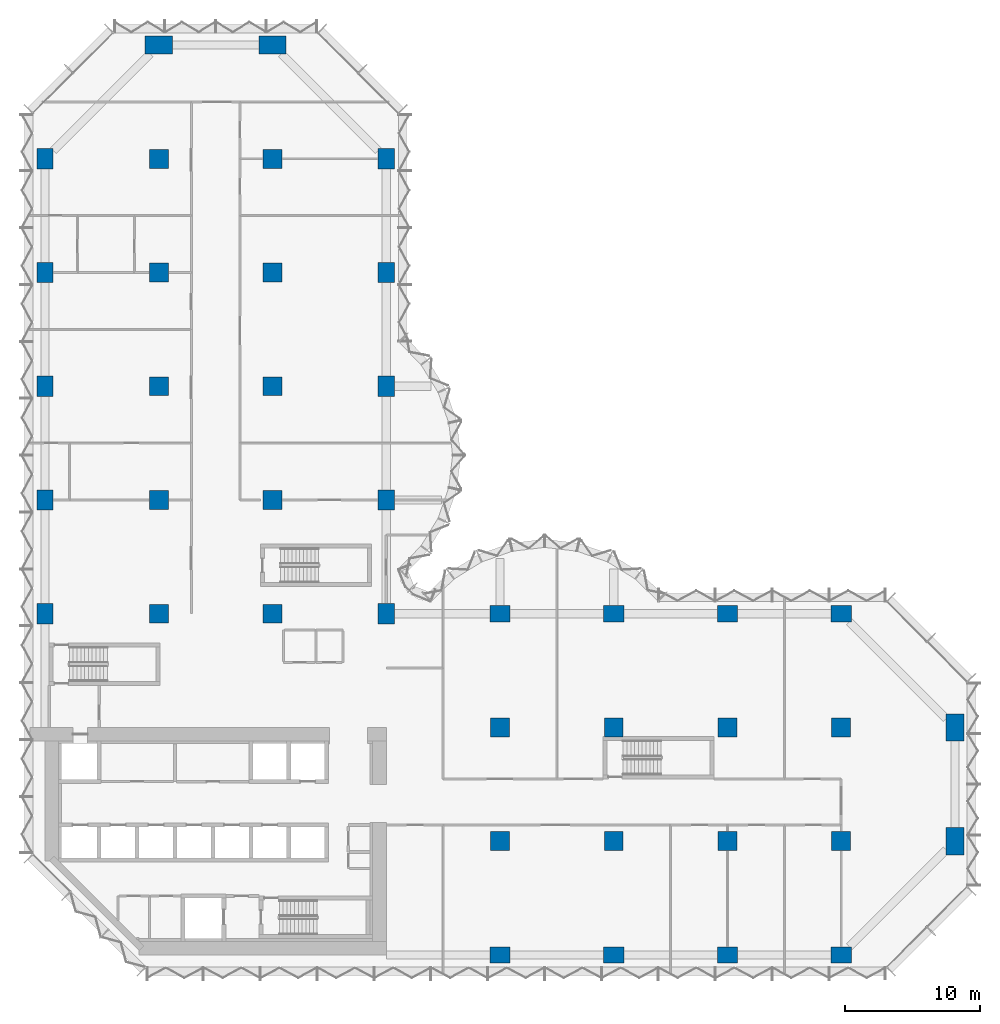
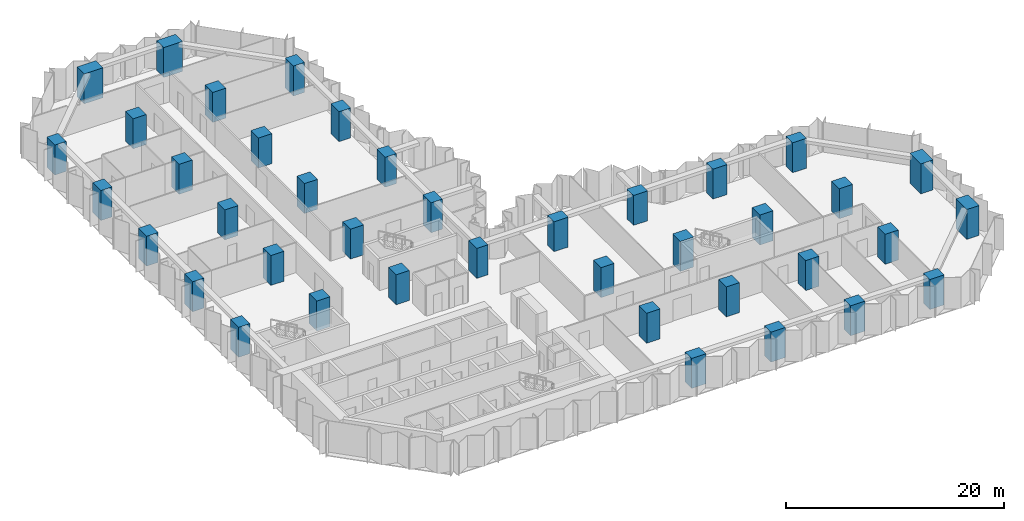
# One storey, part 1 of 15: 40 columns.
"""IFC4 building model written with IfcOpenShell, lengths in metres."""

from ifc_helpers import new_model, si_unit, direction, frame, origin, origin_2d, place, context, subcontext, project, spatial, rectangle, extrude, material, material_profile, profile_set, type_object, element, save


model = new_model("IFC4")

# Units and contexts
model_context = context("Model", 3, precision=1e-05, world=origin(), true_north=direction((0.0, 1.0)))
body_context = subcontext(model_context, "Body", "Model", "MODEL_VIEW")
ifc_project = project(units=[si_unit("LENGTHUNIT", "METRE"), si_unit("AREAUNIT", "SQUARE_METRE"), si_unit("VOLUMEUNIT", "CUBIC_METRE"), si_unit("PLANEANGLEUNIT", "RADIAN"), si_unit("MASSUNIT", "GRAM", prefix="KILO")], contexts=[model_context])

# Site, building, storey
site_placement = place(None, origin())
site = spatial("IfcSite", under=ifc_project, at=site_placement, CompositionType="ELEMENT")
building_placement = place(site_placement, origin())
building = spatial("IfcBuilding", under=site, at=building_placement, Name="Brevane Broadcast Tower", CompositionType="ELEMENT")
storey_placement = place(building_placement, frame((0.0, 0.0, 79.699951171875)))
storey = spatial("IfcBuildingStorey", under=building, at=storey_placement, Name="L18", CompositionType="ELEMENT", Elevation=79.699951171875)

# Columns
ifc_material = material(Name="Concrete C80/95", Category="concrete")
ifc_material_profile_1 = material_profile(ifc_material, rectangle(XDim=1.199951171875, YDim=1.5, at=origin_2d()), Name="RC 1200x1500")
ifc_profile_set_1 = profile_set([ifc_material_profile_1], Name="Concrete C80/95")
column_type_1 = type_object("IfcColumnType", Name="RC COLUMN EDGE 1200x1500 C80/95", PredefinedType="COLUMN", material=ifc_profile_set_1)
for number, where, z_axis, x_axis, name in (
    (1, (0.0, 25.199951171875, 0.0), (0.0, 0.0, 1.0), (1.0, 0.0, 0.0), "CE5 1/D"),
    (2, (0.0, 33.60009765625, 0.0), (0.0, 0.0, 1.0), (1.0, 0.0, 0.0), "CE5 1/E"),
    (3, (0.0, 42.0, 0.0), (0.0, 0.0, 1.0), (1.0, 0.0, 0.0), "CE5 1/F"),
    (4, (0.0, 50.39990234375, 0.0), (0.0, 0.0, 1.0), (1.0, 0.0, 0.0), "CE5 1/G"),
    (5, (0.0, 58.800048828125, 0.0), (0.0, 0.0, 1.0), (1.0, 0.0, 0.0), "CE5 1/H"),
    (6, (25.199951171875, 25.199951171875, 0.0), (0.0, 0.0, 1.0), (1.0, 0.0, 0.0), "CE5 4/D"),
    (7, (25.199951171875, 33.60009765625, 0.0), (0.0, 0.0, 1.0), (1.0, 0.0, 0.0), "CE5 4/E"),
    (8, (25.199951171875, 42.0, 0.0), (0.0, 0.0, 1.0), (1.0, 0.0, 0.0), "CE5 4/F"),
    (9, (25.199951171875, 50.39990234375, 0.0), (0.0, 0.0, 1.0), (1.0, 0.0, 0.0), "CE5 4/G"),
    (10, (25.199951171875, 58.800048828125, 0.0), (0.0, 0.0, 1.0), (1.0, 0.0, 0.0), "CE5 4/H"),
    (11, (33.60009765625, 0.0, 0.0), (0.0, 0.0, 1.0), (0.0, 1.0, 0.0), "CE5 5/A"),
    (12, (33.60009765625, 25.199951171875, 0.0), (0.0, 0.0, 1.0), (0.0, 1.0, 0.0), "CE5 5/D"),
    (13, (42.0, 0.0, 0.0), (0.0, 0.0, 1.0), (0.0, 1.0, 0.0), "CE5 6/A"),
    (14, (42.0, 25.199951171875, 0.0), (0.0, 0.0, 1.0), (0.0, 1.0, 0.0), "CE5 6/D"),
    (15, (50.39990234375, 0.0, 0.0), (0.0, 0.0, 1.0), (0.0, 1.0, 0.0), "CE5 7/A"),
    (16, (50.39990234375, 25.199951171875, 0.0), (0.0, 0.0, 1.0), (0.0, 1.0, 0.0), "CE5 7/D"),
    (17, (58.800048828125, 0.0, 0.0), (0.0, 0.0, 1.0), (0.0, 1.0, 0.0), "CE5 8/A"),
    (18, (58.800048828125, 25.199951171875, 0.0), (0.0, 0.0, 1.0), (0.0, 1.0, 0.0), "CE5 8/D"),
):
    element("IfcColumn", number, at=place(storey_placement, frame(where, z_axis=z_axis, x_axis=x_axis)), inside=storey, type_object=column_type_1, Name=name, PredefinedType="COLUMN", context=body_context, shape_type="SweptSolid", body=[
        extrude(rectangle(XDim=1.199951171875, YDim=1.5, at=origin_2d()), origin(), (0.0, 0.0, 1.0), 3.35009765625),
    ])
ifc_material_profile_2 = material_profile(ifc_material, rectangle(XDim=1.39990234375, YDim=1.39990234375, at=origin_2d()), Name="RC 1400x1400")
ifc_profile_set_2 = profile_set([ifc_material_profile_2], Name="Concrete C80/95")
column_type_2 = type_object("IfcColumnType", Name="RC COLUMN INTERIOR 1400x1400 C80/95", PredefinedType="COLUMN", material=ifc_profile_set_2)
for number, where, z_axis, x_axis, name in (
    (19, (8.39990234375, 25.199951171875, 0.0), (0.0, 0.0, 1.0), (1.0, 0.0, 0.0), "CI6 2/D"),
    (20, (8.39990234375, 33.60009765625, 0.0), (0.0, 0.0, 1.0), (1.0, 0.0, 0.0), "CI6 2/E"),
    (21, (8.39990234375, 42.0, 0.0), (0.0, 0.0, 1.0), (1.0, 0.0, 0.0), "CI6 2/F"),
    (22, (8.39990234375, 50.39990234375, 0.0), (0.0, 0.0, 1.0), (1.0, 0.0, 0.0), "CI6 2/G"),
    (23, (8.39990234375, 58.800048828125, 0.0), (0.0, 0.0, 1.0), (1.0, 0.0, 0.0), "CI6 2/H"),
    (24, (16.800048828125, 25.199951171875, 0.0), (0.0, 0.0, 1.0), (1.0, 0.0, 0.0), "CI6 3/D"),
    (25, (16.800048828125, 33.60009765625, 0.0), (0.0, 0.0, 1.0), (1.0, 0.0, 0.0), "CI6 3/E"),
    (26, (16.800048828125, 42.0, 0.0), (0.0, 0.0, 1.0), (1.0, 0.0, 0.0), "CI6 3/F"),
    (27, (16.800048828125, 50.39990234375, 0.0), (0.0, 0.0, 1.0), (1.0, 0.0, 0.0), "CI6 3/G"),
    (28, (16.800048828125, 58.800048828125, 0.0), (0.0, 0.0, 1.0), (1.0, 0.0, 0.0), "CI6 3/H"),
    (29, (33.60009765625, 8.39990234375, 0.0), (0.0, 0.0, 1.0), (1.0, 0.0, 0.0), "CI6 5/B"),
    (30, (33.60009765625, 16.800048828125, 0.0), (0.0, 0.0, 1.0), (1.0, 0.0, 0.0), "CI6 5/C"),
    (31, (42.0, 8.39990234375, 0.0), (0.0, 0.0, 1.0), (1.0, 0.0, 0.0), "CI6 6/B"),
    (32, (42.0, 16.800048828125, 0.0), (0.0, 0.0, 1.0), (1.0, 0.0, 0.0), "CI6 6/C"),
    (33, (50.39990234375, 8.39990234375, 0.0), (0.0, 0.0, 1.0), (1.0, 0.0, 0.0), "CI6 7/B"),
    (34, (50.39990234375, 16.800048828125, 0.0), (0.0, 0.0, 1.0), (1.0, 0.0, 0.0), "CI6 7/C"),
    (35, (58.800048828125, 8.39990234375, 0.0), (0.0, 0.0, 1.0), (1.0, 0.0, 0.0), "CI6 8/B"),
    (36, (58.800048828125, 16.800048828125, 0.0), (0.0, 0.0, 1.0), (1.0, 0.0, 0.0), "CI6 8/C"),
):
    element("IfcColumn", number, at=place(storey_placement, frame(where, z_axis=z_axis, x_axis=x_axis)), inside=storey, type_object=column_type_2, Name=name, PredefinedType="COLUMN", context=body_context, shape_type="SweptSolid", body=[
        extrude(rectangle(XDim=1.39990234375, YDim=1.39990234375, at=origin_2d()), origin(), (0.0, 0.0, 1.0), 3.35009765625),
    ])
ifc_material_profile_3 = material_profile(ifc_material, rectangle(XDim=1.300048828125, YDim=2.0, at=origin_2d()), Name="RC 1300x2000")
ifc_profile_set_3 = profile_set([ifc_material_profile_3], Name="Concrete C80/95")
column_type_3 = type_object("IfcColumnType", Name="RC COLUMN WING-END 1300x2000 C80/95", PredefinedType="COLUMN", material=ifc_profile_set_3)
for number, where, z_axis, x_axis, name in (
    (37, (8.39990234375, 67.199951171875, 0.0), (0.0, 0.0, 1.0), (0.0, 1.0, 0.0), "CW7 2/I"),
    (38, (16.800048828125, 67.199951171875, 0.0), (0.0, 0.0, 1.0), (0.0, 1.0, 0.0), "CW7 3/I"),
    (39, (67.199951171875, 8.39990234375, 0.0), (0.0, 0.0, 1.0), (1.0, 0.0, 0.0), "CW7 9/B"),
    (40, (67.199951171875, 16.800048828125, 0.0), (0.0, 0.0, 1.0), (1.0, 0.0, 0.0), "CW7 9/C"),
):
    element("IfcColumn", number, at=place(storey_placement, frame(where, z_axis=z_axis, x_axis=x_axis)), inside=storey, type_object=column_type_3, Name=name, PredefinedType="COLUMN", context=body_context, shape_type="SweptSolid", body=[
        extrude(rectangle(XDim=1.300048828125, YDim=2.0, at=origin_2d()), origin(), (0.0, 0.0, 1.0), 3.35009765625),
    ])

save(model, "model.ifc")
